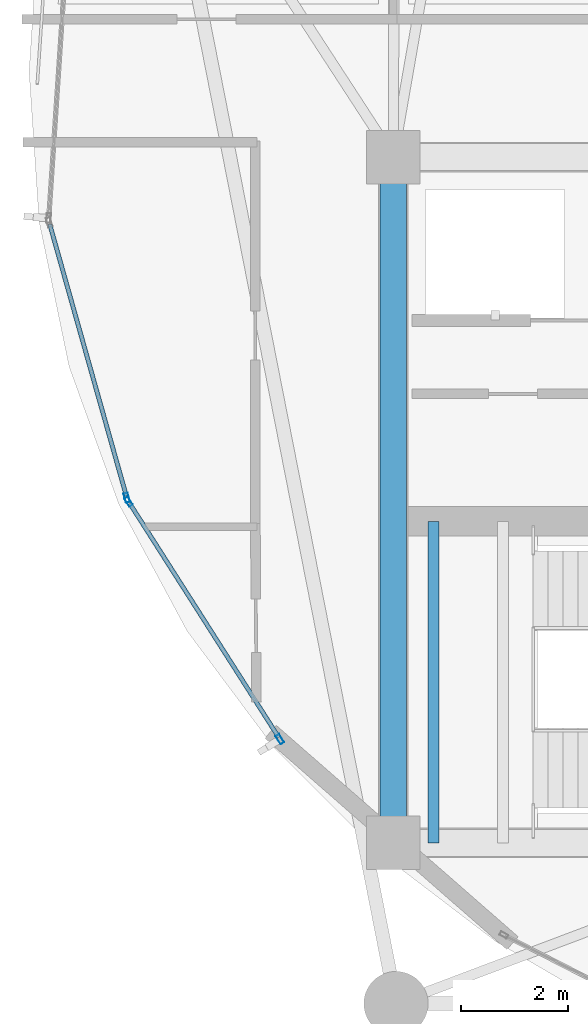
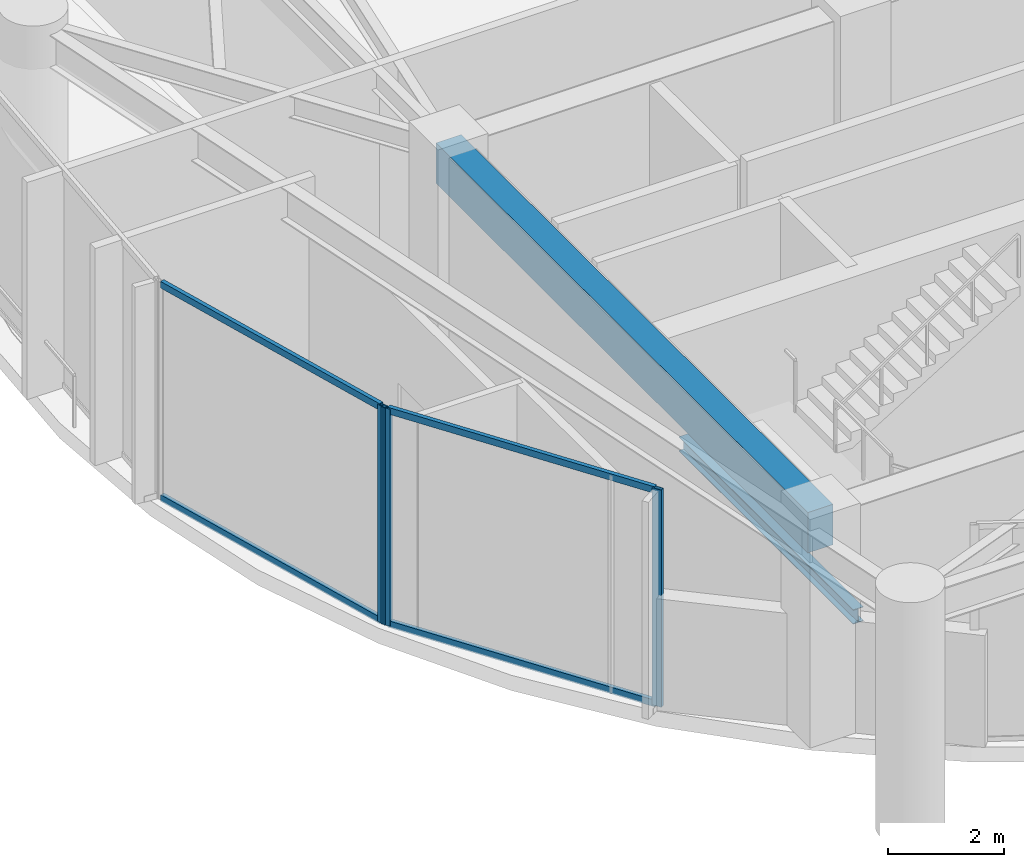
# One storey, part 3 of 30: 7 members, 2 beams, 2 elements without a shape of their own.
"""IFC4 building model written with IfcOpenShell, lengths in metres."""

from ifc_helpers import new_model, si_unit, direction, frame, origin, origin_2d, place, context, subcontext, project, spatial, rectangle, hollow_rectangle, i_section, extrude, material, layer, layer_set, material_profile, profile_set, type_object, element, aggregate, save


model = new_model("IFC4")

# Units and contexts
model_context = context("Model", 3, precision=1e-05, world=origin(), true_north=direction((0.0, 1.0)))
body_context = subcontext(model_context, "Body", "Model", "MODEL_VIEW")
ifc_project = project(units=[si_unit("LENGTHUNIT", "METRE"), si_unit("AREAUNIT", "SQUARE_METRE"), si_unit("VOLUMEUNIT", "CUBIC_METRE"), si_unit("PLANEANGLEUNIT", "RADIAN"), si_unit("MASSUNIT", "GRAM", prefix="KILO")], contexts=[model_context])

# Site, building, storey
site_placement = place(None, origin())
site = spatial("IfcSite", under=ifc_project, at=site_placement, CompositionType="ELEMENT")
building_placement = place(site_placement, origin())
building = spatial("IfcBuilding", under=site, at=building_placement, Name="Kazevale Care Tower and Concert Hall", CompositionType="ELEMENT")
storey_placement = place(building_placement, frame((0.0, 0.0, 97.800048828125)))
storey = spatial("IfcBuildingStorey", under=building, at=storey_placement, Name="L25", CompositionType="ELEMENT", Elevation=97.800048828125)

# Curtain wall, members
ifc_material_1 = material(Name="Aluminium 6063-T6 and Low-E Glass", Category="aluminium")
ifc_layer = layer(ifc_material_1, 0.179931640625)
ifc_layer_set = layer_set([ifc_layer], Name="Aluminium 6063-T6 and Low-E Glass")
curtain_wall_type = type_object("IfcCurtainWallType", Name="Waist & Upper Residential Curtain Wall CW-4", PredefinedType="NOTDEFINED", material=ifc_layer_set)
curtain_wall_1_placement = place(storey_placement, origin())
curtain_wall_1 = element("IfcCurtainWall", 1, at=curtain_wall_1_placement, inside=storey, type_object=curtain_wall_type, Name="cw:L25:f11", PredefinedType="NOTDEFINED")
ifc_material_2 = material(Name="Aluminium 6063-T6", Category="aluminium")
ifc_material_profile_1 = material_profile(ifc_material_2, hollow_rectangle(XDim=0.080078125, YDim=0.179931640625, WallThickness=0.0048828125, at=origin_2d()), Name="ALU80x180x5")
ifc_profile_set_1 = profile_set([ifc_material_profile_1], Name="Aluminium 6063-T6")
member_type_1 = type_object("IfcMemberType", Name="CW-4 Mullion ALU80x180x5", PredefinedType="MULLION", material=ifc_profile_set_1)
member_1_placement = place(storey_placement, frame((19.882568359375, 25.53564453125, 0.0), z_axis=(0.0, 0.0, 1.0), x_axis=(-0.843429930967, -0.537239193981, 0.0)))
member_1 = element("IfcMember", 2, at=member_1_placement, type_object=member_type_1, Name="CW-4 mullion 1", PredefinedType="MULLION", context=body_context, shape_type="SweptSolid", body=[
    extrude(hollow_rectangle(XDim=0.080078125, YDim=0.179931640625, WallThickness=0.0048828125, at=origin_2d()), origin(), (0.0, 0.0, 1.0), 4.56005859375),
])
member_2_placement = place(storey_placement, frame((17.05859375, 29.96923828125, 0.0), z_axis=(0.0, 0.0, 1.0), x_axis=(-0.843429930967, -0.537239193981, 0.0)))
member_2 = element("IfcMember", 3, at=member_2_placement, type_object=member_type_1, Name="CW-4 mullion 2", PredefinedType="MULLION", context=body_context, shape_type="SweptSolid", body=[
    extrude(hollow_rectangle(XDim=0.080078125, YDim=0.179931640625, WallThickness=0.0048828125, at=origin_2d()), origin(), (0.0, 0.0, 1.0), 4.56005859375),
])

# Curtain wall, member
curtain_wall_2_placement = place(storey_placement, origin())
curtain_wall_2 = element("IfcCurtainWall", 4, at=curtain_wall_2_placement, inside=storey, type_object=curtain_wall_type, Name="cw:L25:f12", PredefinedType="NOTDEFINED")
member_3_placement = place(storey_placement, frame((17.026123046875, 30.04150390625, 0.0), z_axis=(0.0, 0.0, 1.0), x_axis=(-0.962499078876, -0.271284948278, 0.0)))
member_3 = element("IfcMember", 5, at=member_3_placement, type_object=member_type_1, Name="CW-4 mullion 1", PredefinedType="MULLION", context=body_context, shape_type="SweptSolid", body=[
    extrude(hollow_rectangle(XDim=0.080078125, YDim=0.179931640625, WallThickness=0.0048828125, at=origin_2d()), origin(), (0.0, 0.0, 1.0), 4.56005859375),
])

# Member
ifc_material_profile_2 = material_profile(ifc_material_2, hollow_rectangle(XDim=0.080078125, YDim=0.139892578125, WallThickness=0.00390625, at=origin_2d()), Name="ALU80x140x4")
ifc_profile_set_2 = profile_set([ifc_material_profile_2], Name="Aluminium 6063-T6")
member_type_2 = type_object("IfcMemberType", Name="CW-4 Transom ALU80x140x4", PredefinedType="USERDEFINED", material=ifc_profile_set_2)
member_4_placement = place(storey_placement, frame((19.861083984375, 25.569580078125, 0.0400390625), z_axis=(-0.537241653837, 0.843428364109, 0.0), x_axis=(-0.843428364109, -0.537241653837, 0.0)))
member_4 = element("IfcMember", 6, at=member_4_placement, type_object=member_type_2, Name="CW-4 transom 1.1", ObjectType="TRANSOM", PredefinedType="USERDEFINED", context=body_context, shape_type="SweptSolid", body=[
    extrude(hollow_rectangle(XDim=0.080078125, YDim=0.139892578125, WallThickness=0.00390625, at=origin_2d()), origin(), (0.0, 0.0, 1.0), 5.176513671875),
])

member_5_placement = place(storey_placement, frame((19.861083984375, 25.569580078125, 4.52001953125), z_axis=(-0.537241653837, 0.843428364109, 0.0), x_axis=(-0.843428364109, -0.537241653837, 0.0)))
member_5 = element("IfcMember", 7, at=member_5_placement, type_object=member_type_2, Name="CW-4 transom 1.2", ObjectType="TRANSOM", PredefinedType="USERDEFINED", context=body_context, shape_type="SweptSolid", body=[
    extrude(hollow_rectangle(XDim=0.080078125, YDim=0.139892578125, WallThickness=0.00390625, at=origin_2d()), origin(), (0.0, 0.0, 1.0), 5.176513671875),
])

aggregate(curtain_wall_1, [member_1, member_2, member_4, member_5])

member_6_placement = place(storey_placement, frame((17.015380859375, 30.080078125, 0.0400390625), z_axis=(-0.271312503244, 0.962491311952, 0.0), x_axis=(-0.962491311952, -0.271312503244, 0.0)))
member_6 = element("IfcMember", 8, at=member_6_placement, type_object=member_type_2, Name="CW-4 transom 1.1", ObjectType="TRANSOM", PredefinedType="USERDEFINED", context=body_context, shape_type="SweptSolid", body=[
    extrude(hollow_rectangle(XDim=0.080078125, YDim=0.139892578125, WallThickness=0.00390625, at=origin_2d()), origin(), (0.0, 0.0, 1.0), 5.26220703125),
])

member_7_placement = place(storey_placement, frame((17.015380859375, 30.080078125, 4.52001953125), z_axis=(-0.271312503244, 0.962491311952, 0.0), x_axis=(-0.962491311952, -0.271312503244, 0.0)))
member_7 = element("IfcMember", 9, at=member_7_placement, type_object=member_type_2, Name="CW-4 transom 1.2", ObjectType="TRANSOM", PredefinedType="USERDEFINED", context=body_context, shape_type="SweptSolid", body=[
    extrude(hollow_rectangle(XDim=0.080078125, YDim=0.139892578125, WallThickness=0.00390625, at=origin_2d()), origin(), (0.0, 0.0, 1.0), 5.26220703125),
])

aggregate(curtain_wall_2, [member_3, member_6, member_7])

# Beams
ifc_material_3 = material(Name="Concrete C60", Category="concrete")
ifc_material_profile_3 = material_profile(ifc_material_3, rectangle(XDim=0.5, YDim=0.85009765625, at=origin_2d()), Name="RC-B500x850")
ifc_profile_set_3 = profile_set([ifc_material_profile_3], Name="Concrete C60")
beam_type_1 = type_object("IfcBeamType", Name="Core Coupling Beam RC500x850", PredefinedType="LINTEL", material=ifc_profile_set_3)
beam_1_placement = place(storey_placement, frame((22.0, 36.39990234375, 4.135009765625), z_axis=(0.0, -1.0, 0.0), x_axis=(1.0, 0.0, 0.0)))
element("IfcBeam", 10, at=beam_1_placement, inside=storey, type_object=beam_type_1, Name="beam:L25:coretie:8", PredefinedType="LINTEL", context=body_context, shape_type="SweptSolid", body=[
    extrude(rectangle(XDim=0.5, YDim=0.85009765625, at=origin_2d()), origin(), (0.0, 0.0, 1.0), 12.7998046875),
])
ifc_material_4 = material(Name="Steel ASTM A572 Gr 50", Category="steel")
ifc_material_profile_4 = material_profile(ifc_material_4, i_section(OverallWidth=0.202880859375, OverallDepth=0.302978515625, WebThickness=0.007568359375, FlangeThickness=0.01318359375, at=origin_2d()), Name="W310x60")
ifc_profile_set_4 = profile_set([ifc_material_profile_4], Name="Steel ASTM A572 Gr 50")
beam_type_2 = type_object("IfcBeamType", Name="Stair & Balcony Trimmer W310x60", PredefinedType="BEAM", material=ifc_profile_set_4)
beam_2_placement = place(storey_placement, frame((22.75, 23.60009765625, 2.04833984375), z_axis=(0.0, 1.0, 0.0), x_axis=(-1.0, 0.0, 0.0)))
element("IfcBeam", 11, at=beam_2_placement, inside=storey, type_object=beam_type_2, Name="beam:L25:sttrim:ST1", PredefinedType="BEAM", context=body_context, shape_type="SweptSolid", body=[
    extrude(i_section(OverallWidth=0.202880859375, OverallDepth=0.302978515625, WebThickness=0.007568359375, FlangeThickness=0.01318359375, at=origin_2d()), origin(), (0.0, 0.0, 1.0), 6.0),
])

save(model, "model.ifc")
